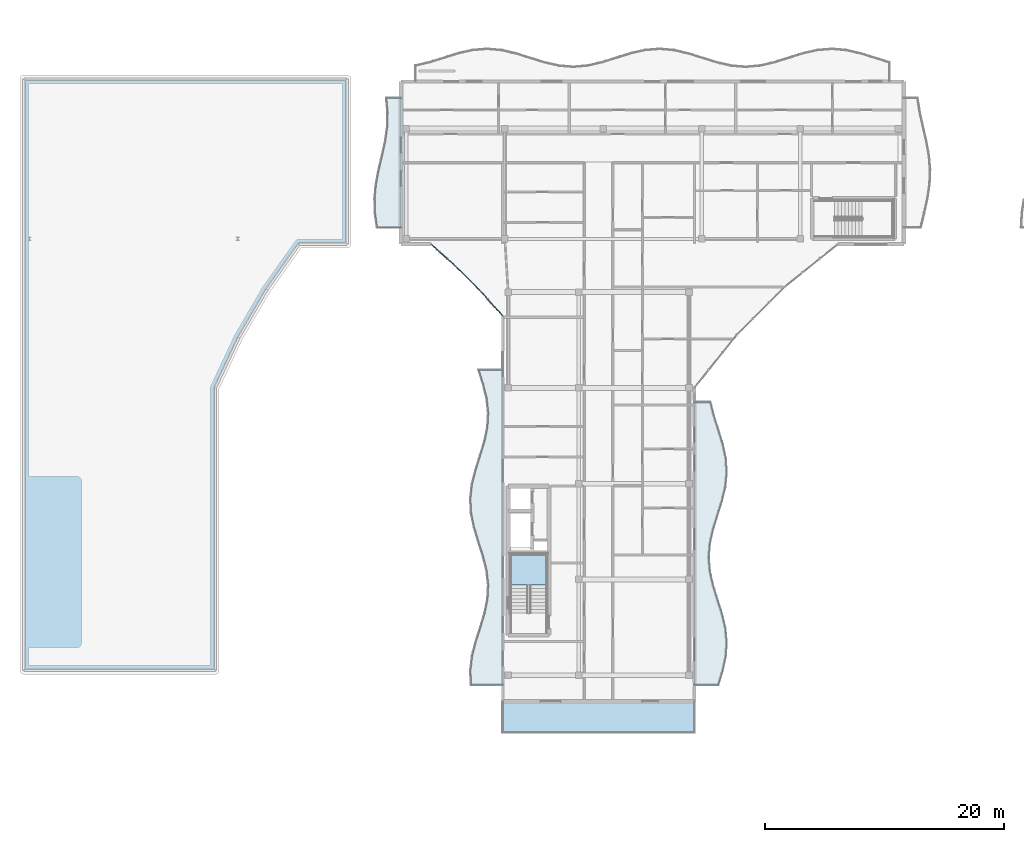
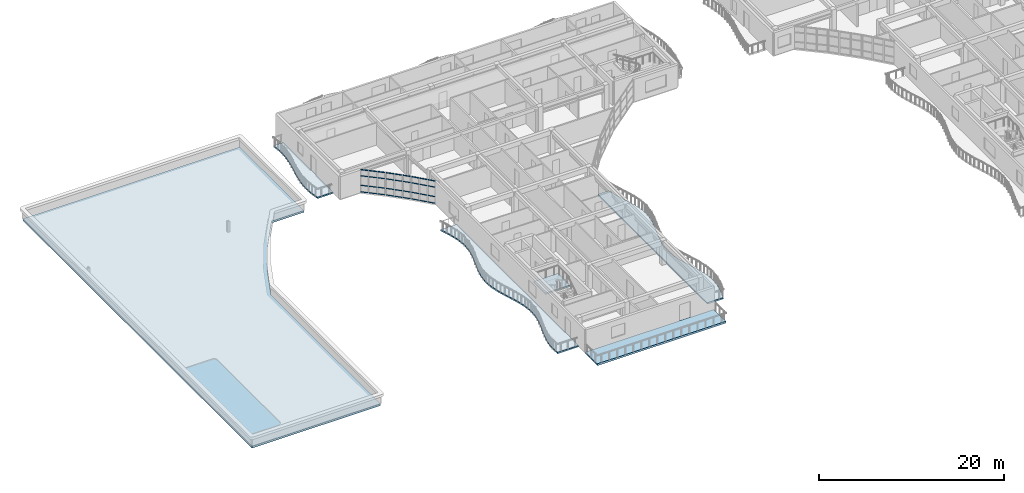
# One storey, part 19 of 54: 36 members, 6 slabs, 4 elements without a shape of their own.
"""IFC4 building model written with IfcOpenShell, lengths in metres."""

from ifc_helpers import new_model, si_unit, direction, frame, origin, origin_2d, place, context, subcontext, project, spatial, polyline, hollow_rectangle, outline, extrude, material, layer, layer_set, material_profile, profile_set, type_object, element, aggregate, save


model = new_model("IFC4")

# Units and contexts
model_context = context("Model", 3, precision=1e-05, world=origin(), true_north=direction((0.0, 1.0)))
body_context = subcontext(model_context, "Body", "Model", "MODEL_VIEW")
ifc_project = project(units=[si_unit("LENGTHUNIT", "METRE"), si_unit("AREAUNIT", "SQUARE_METRE"), si_unit("VOLUMEUNIT", "CUBIC_METRE"), si_unit("PLANEANGLEUNIT", "RADIAN"), si_unit("MASSUNIT", "GRAM", prefix="KILO")], contexts=[model_context])

# Site, building, storey
site_placement = place(None, origin())
site = spatial("IfcSite", under=ifc_project, at=site_placement, CompositionType="ELEMENT")
building_placement = place(site_placement, origin())
building = spatial("IfcBuilding", under=site, at=building_placement, Name="Keldmere Railside Commons", CompositionType="ELEMENT")
storey_placement = place(building_placement, frame((0.0, 0.0, 26.56005859375)))
storey = spatial("IfcBuildingStorey", under=building, at=storey_placement, Name="L08", CompositionType="ELEMENT", Elevation=26.56005859375)

# Curtain wall, members
ifc_material_1 = material(Name="Thermally Broken Aluminium", Category="aluminium")
ifc_layer_1 = layer(ifc_material_1, 0.159912109375, Name="Court Chord Wintergarden CW 4800x2850")
ifc_layer_set_1 = layer_set([ifc_layer_1], Name="Thermally Broken Aluminium")
curtain_wall_type_1 = type_object("IfcCurtainWallType", Name="Court Chord Wintergarden CW 4800x2850", PredefinedType="NOTDEFINED", material=ifc_layer_set_1)
curtain_wall_1_placement = place(storey_placement, origin())
curtain_wall_1 = element("IfcCurtainWall", 1, at=curtain_wall_1_placement, inside=storey, type_object=curtain_wall_type_1, Name="CW-12 CW-L08-076", PredefinedType="NOTDEFINED")
ifc_material_profile = material_profile(ifc_material_1, hollow_rectangle(XDim=0.06494140625, YDim=0.1201171875, WallThickness=0.00390625, at=origin_2d()), Name="ALU-TRAN-65x120")
ifc_profile_set = profile_set([ifc_material_profile], Name="Thermally Broken Aluminium")
member_type = type_object("IfcMemberType", Name="Unitised Curtain Wall Transom 65x120", PredefinedType="USERDEFINED", material=ifc_profile_set)
member_1_placement = place(storey_placement, frame((44.0595703125, 98.1533203125, 0.032470703125), z_axis=(-0.744569440646, 0.667545015752, 0.0), x_axis=(-0.667545015752, -0.744569440646, 0.0)))
member_1 = element("IfcMember", 2, at=member_1_placement, type_object=member_type, Name="CW-12 transom 1.1", ObjectType="TRANSOM", PredefinedType="USERDEFINED", context=body_context, shape_type="SweptSolid", body=[
    extrude(hollow_rectangle(XDim=0.06494140625, YDim=0.1201171875, WallThickness=0.00390625, at=origin_2d()), origin(), (0.0, 0.0, 1.0), 0.84619140625),
])
member_2_placement = place(storey_placement, frame((44.0595703125, 98.1533203125, 0.89990234375), z_axis=(-0.744569440646, 0.667545015752, 0.0), x_axis=(-0.667545015752, -0.744569440646, 0.0)))
member_2 = element("IfcMember", 3, at=member_2_placement, type_object=member_type, Name="CW-12 transom 1.2", ObjectType="TRANSOM", PredefinedType="USERDEFINED", context=body_context, shape_type="SweptSolid", body=[
    extrude(hollow_rectangle(XDim=0.06494140625, YDim=0.1201171875, WallThickness=0.00390625, at=origin_2d()), origin(), (0.0, 0.0, 1.0), 0.84619140625),
])
member_3_placement = place(storey_placement, frame((44.0595703125, 98.1533203125, 2.14990234375), z_axis=(-0.744569440646, 0.667545015752, 0.0), x_axis=(-0.667545015752, -0.744569440646, 0.0)))
member_3 = element("IfcMember", 4, at=member_3_placement, type_object=member_type, Name="CW-12 transom 1.3", ObjectType="TRANSOM", PredefinedType="USERDEFINED", context=body_context, shape_type="SweptSolid", body=[
    extrude(hollow_rectangle(XDim=0.06494140625, YDim=0.1201171875, WallThickness=0.00390625, at=origin_2d()), origin(), (0.0, 0.0, 1.0), 0.84619140625),
])
member_4_placement = place(storey_placement, frame((44.0595703125, 98.1533203125, 2.947509765625), z_axis=(-0.744569440646, 0.667545015752, 0.0), x_axis=(-0.667545015752, -0.744569440646, 0.0)))
member_4 = element("IfcMember", 5, at=member_4_placement, type_object=member_type, Name="CW-12 transom 1.4", ObjectType="TRANSOM", PredefinedType="USERDEFINED", context=body_context, shape_type="SweptSolid", body=[
    extrude(hollow_rectangle(XDim=0.06494140625, YDim=0.1201171875, WallThickness=0.00390625, at=origin_2d()), origin(), (0.0, 0.0, 1.0), 0.84619140625),
])
member_5_placement = place(storey_placement, frame((43.381103515625, 98.76171875, 0.032470703125), z_axis=(-0.744536109606, 0.667582190815, 0.0), x_axis=(-0.667582190815, -0.744536109606, 0.0)))
member_5 = element("IfcMember", 6, at=member_5_placement, type_object=member_type, Name="CW-12 transom 2.1", ObjectType="TRANSOM", PredefinedType="USERDEFINED", context=body_context, shape_type="SweptSolid", body=[
    extrude(hollow_rectangle(XDim=0.06494140625, YDim=0.1201171875, WallThickness=0.00390625, at=origin_2d()), origin(), (0.0, 0.0, 1.0), 0.87890625),
])
member_6_placement = place(storey_placement, frame((43.381103515625, 98.76171875, 0.89990234375), z_axis=(-0.744536109606, 0.667582190815, 0.0), x_axis=(-0.667582190815, -0.744536109606, 0.0)))
member_6 = element("IfcMember", 7, at=member_6_placement, type_object=member_type, Name="CW-12 transom 2.2", ObjectType="TRANSOM", PredefinedType="USERDEFINED", context=body_context, shape_type="SweptSolid", body=[
    extrude(hollow_rectangle(XDim=0.06494140625, YDim=0.1201171875, WallThickness=0.00390625, at=origin_2d()), origin(), (0.0, 0.0, 1.0), 0.87890625),
])
member_7_placement = place(storey_placement, frame((43.381103515625, 98.76171875, 2.14990234375), z_axis=(-0.744536109606, 0.667582190815, 0.0), x_axis=(-0.667582190815, -0.744536109606, 0.0)))
member_7 = element("IfcMember", 8, at=member_7_placement, type_object=member_type, Name="CW-12 transom 2.3", ObjectType="TRANSOM", PredefinedType="USERDEFINED", context=body_context, shape_type="SweptSolid", body=[
    extrude(hollow_rectangle(XDim=0.06494140625, YDim=0.1201171875, WallThickness=0.00390625, at=origin_2d()), origin(), (0.0, 0.0, 1.0), 0.87890625),
])
member_8_placement = place(storey_placement, frame((43.381103515625, 98.76171875, 2.947509765625), z_axis=(-0.744536109606, 0.667582190815, 0.0), x_axis=(-0.667582190815, -0.744536109606, 0.0)))
member_8 = element("IfcMember", 9, at=member_8_placement, type_object=member_type, Name="CW-12 transom 2.4", ObjectType="TRANSOM", PredefinedType="USERDEFINED", context=body_context, shape_type="SweptSolid", body=[
    extrude(hollow_rectangle(XDim=0.06494140625, YDim=0.1201171875, WallThickness=0.00390625, at=origin_2d()), origin(), (0.0, 0.0, 1.0), 0.87890625),
])
member_9_placement = place(storey_placement, frame((42.678466796875, 99.3916015625, 0.032470703125), z_axis=(-0.744569440646, 0.667545015752, 0.0), x_axis=(-0.667545015752, -0.744569440646, 0.0)))
member_9 = element("IfcMember", 10, at=member_9_placement, type_object=member_type, Name="CW-12 transom 3.1", ObjectType="TRANSOM", PredefinedType="USERDEFINED", context=body_context, shape_type="SweptSolid", body=[
    extrude(hollow_rectangle(XDim=0.06494140625, YDim=0.1201171875, WallThickness=0.00390625, at=origin_2d()), origin(), (0.0, 0.0, 1.0), 0.84619140625),
])
member_10_placement = place(storey_placement, frame((42.678466796875, 99.3916015625, 0.89990234375), z_axis=(-0.744569440646, 0.667545015752, 0.0), x_axis=(-0.667545015752, -0.744569440646, 0.0)))
member_10 = element("IfcMember", 11, at=member_10_placement, type_object=member_type, Name="CW-12 transom 3.2", ObjectType="TRANSOM", PredefinedType="USERDEFINED", context=body_context, shape_type="SweptSolid", body=[
    extrude(hollow_rectangle(XDim=0.06494140625, YDim=0.1201171875, WallThickness=0.00390625, at=origin_2d()), origin(), (0.0, 0.0, 1.0), 0.84619140625),
])
member_11_placement = place(storey_placement, frame((42.678466796875, 99.3916015625, 2.14990234375), z_axis=(-0.744569440646, 0.667545015752, 0.0), x_axis=(-0.667545015752, -0.744569440646, 0.0)))
member_11 = element("IfcMember", 12, at=member_11_placement, type_object=member_type, Name="CW-12 transom 3.3", ObjectType="TRANSOM", PredefinedType="USERDEFINED", context=body_context, shape_type="SweptSolid", body=[
    extrude(hollow_rectangle(XDim=0.06494140625, YDim=0.1201171875, WallThickness=0.00390625, at=origin_2d()), origin(), (0.0, 0.0, 1.0), 0.84619140625),
])
member_12_placement = place(storey_placement, frame((42.678466796875, 99.3916015625, 2.947509765625), z_axis=(-0.744569440646, 0.667545015752, 0.0), x_axis=(-0.667545015752, -0.744569440646, 0.0)))
member_12 = element("IfcMember", 13, at=member_12_placement, type_object=member_type, Name="CW-12 transom 3.4", ObjectType="TRANSOM", PredefinedType="USERDEFINED", context=body_context, shape_type="SweptSolid", body=[
    extrude(hollow_rectangle(XDim=0.06494140625, YDim=0.1201171875, WallThickness=0.00390625, at=origin_2d()), origin(), (0.0, 0.0, 1.0), 0.84619140625),
])
aggregate(curtain_wall_1, [member_1, member_2, member_3, member_4, member_5, member_6, member_7, member_8, member_9, member_10, member_11, member_12])

ifc_layer_2 = layer(ifc_material_1, 0.159912109375, Name="Court Chord Wintergarden CW 5400x2850")
ifc_layer_set_2 = layer_set([ifc_layer_2], Name="Thermally Broken Aluminium")
curtain_wall_type_2 = type_object("IfcCurtainWallType", Name="Court Chord Wintergarden CW 5400x2850", PredefinedType="NOTDEFINED", material=ifc_layer_set_2)
curtain_wall_2_placement = place(storey_placement, origin())
curtain_wall_2 = element("IfcCurtainWall", 14, at=curtain_wall_2_placement, inside=storey, type_object=curtain_wall_type_2, Name="CW-13 CW-L08-077", PredefinedType="NOTDEFINED")
member_13_placement = place(storey_placement, frame((46.06396484375, 96.154052734375, 0.032470703125), z_axis=(-0.707106781187, 0.707106781187, 0.0), x_axis=(-0.707106781187, -0.707106781187, 0.0)))
member_13 = element("IfcMember", 15, at=member_13_placement, type_object=member_type, Name="CW-13 transom 1.1", ObjectType="TRANSOM", PredefinedType="USERDEFINED", context=body_context, shape_type="SweptSolid", body=[
    extrude(hollow_rectangle(XDim=0.06494140625, YDim=0.1201171875, WallThickness=0.00390625, at=origin_2d()), origin(), (0.0, 0.0, 1.0), 0.84619140625),
])
member_14_placement = place(storey_placement, frame((46.06396484375, 96.154052734375, 0.89990234375), z_axis=(-0.707106781187, 0.707106781187, 0.0), x_axis=(-0.707106781187, -0.707106781187, 0.0)))
member_14 = element("IfcMember", 16, at=member_14_placement, type_object=member_type, Name="CW-13 transom 1.2", ObjectType="TRANSOM", PredefinedType="USERDEFINED", context=body_context, shape_type="SweptSolid", body=[
    extrude(hollow_rectangle(XDim=0.06494140625, YDim=0.1201171875, WallThickness=0.00390625, at=origin_2d()), origin(), (0.0, 0.0, 1.0), 0.84619140625),
])
member_15_placement = place(storey_placement, frame((46.06396484375, 96.154052734375, 2.14990234375), z_axis=(-0.707106781187, 0.707106781187, 0.0), x_axis=(-0.707106781187, -0.707106781187, 0.0)))
member_15 = element("IfcMember", 17, at=member_15_placement, type_object=member_type, Name="CW-13 transom 1.3", ObjectType="TRANSOM", PredefinedType="USERDEFINED", context=body_context, shape_type="SweptSolid", body=[
    extrude(hollow_rectangle(XDim=0.06494140625, YDim=0.1201171875, WallThickness=0.00390625, at=origin_2d()), origin(), (0.0, 0.0, 1.0), 0.84619140625),
])
member_16_placement = place(storey_placement, frame((46.06396484375, 96.154052734375, 2.947509765625), z_axis=(-0.707106781187, 0.707106781187, 0.0), x_axis=(-0.707106781187, -0.707106781187, 0.0)))
member_16 = element("IfcMember", 18, at=member_16_placement, type_object=member_type, Name="CW-13 transom 1.4", ObjectType="TRANSOM", PredefinedType="USERDEFINED", context=body_context, shape_type="SweptSolid", body=[
    extrude(hollow_rectangle(XDim=0.06494140625, YDim=0.1201171875, WallThickness=0.00390625, at=origin_2d()), origin(), (0.0, 0.0, 1.0), 0.84619140625),
])
member_17_placement = place(storey_placement, frame((45.419677734375, 96.79833984375, 0.032470703125), z_axis=(-0.707106781187, 0.707106781187, 0.0), x_axis=(-0.707106781187, -0.707106781187, 0.0)))
member_17 = element("IfcMember", 19, at=member_17_placement, type_object=member_type, Name="CW-13 transom 2.1", ObjectType="TRANSOM", PredefinedType="USERDEFINED", context=body_context, shape_type="SweptSolid", body=[
    extrude(hollow_rectangle(XDim=0.06494140625, YDim=0.1201171875, WallThickness=0.00390625, at=origin_2d()), origin(), (0.0, 0.0, 1.0), 0.878662109375),
])
member_18_placement = place(storey_placement, frame((45.419677734375, 96.79833984375, 0.89990234375), z_axis=(-0.707106781187, 0.707106781187, 0.0), x_axis=(-0.707106781187, -0.707106781187, 0.0)))
member_18 = element("IfcMember", 20, at=member_18_placement, type_object=member_type, Name="CW-13 transom 2.2", ObjectType="TRANSOM", PredefinedType="USERDEFINED", context=body_context, shape_type="SweptSolid", body=[
    extrude(hollow_rectangle(XDim=0.06494140625, YDim=0.1201171875, WallThickness=0.00390625, at=origin_2d()), origin(), (0.0, 0.0, 1.0), 0.878662109375),
])
member_19_placement = place(storey_placement, frame((45.419677734375, 96.79833984375, 2.14990234375), z_axis=(-0.707106781187, 0.707106781187, 0.0), x_axis=(-0.707106781187, -0.707106781187, 0.0)))
member_19 = element("IfcMember", 21, at=member_19_placement, type_object=member_type, Name="CW-13 transom 2.3", ObjectType="TRANSOM", PredefinedType="USERDEFINED", context=body_context, shape_type="SweptSolid", body=[
    extrude(hollow_rectangle(XDim=0.06494140625, YDim=0.1201171875, WallThickness=0.00390625, at=origin_2d()), origin(), (0.0, 0.0, 1.0), 0.878662109375),
])
member_20_placement = place(storey_placement, frame((45.419677734375, 96.79833984375, 2.947509765625), z_axis=(-0.707106781187, 0.707106781187, 0.0), x_axis=(-0.707106781187, -0.707106781187, 0.0)))
member_20 = element("IfcMember", 22, at=member_20_placement, type_object=member_type, Name="CW-13 transom 2.4", ObjectType="TRANSOM", PredefinedType="USERDEFINED", context=body_context, shape_type="SweptSolid", body=[
    extrude(hollow_rectangle(XDim=0.06494140625, YDim=0.1201171875, WallThickness=0.00390625, at=origin_2d()), origin(), (0.0, 0.0, 1.0), 0.878662109375),
])
member_21_placement = place(storey_placement, frame((44.75244140625, 97.465576171875, 0.032470703125), z_axis=(-0.707106781187, 0.707106781187, 0.0), x_axis=(-0.707106781187, -0.707106781187, 0.0)))
member_21 = element("IfcMember", 23, at=member_21_placement, type_object=member_type, Name="CW-13 transom 3.1", ObjectType="TRANSOM", PredefinedType="USERDEFINED", context=body_context, shape_type="SweptSolid", body=[
    extrude(hollow_rectangle(XDim=0.06494140625, YDim=0.1201171875, WallThickness=0.00390625, at=origin_2d()), origin(), (0.0, 0.0, 1.0), 0.84619140625),
])
member_22_placement = place(storey_placement, frame((44.75244140625, 97.465576171875, 0.89990234375), z_axis=(-0.707106781187, 0.707106781187, 0.0), x_axis=(-0.707106781187, -0.707106781187, 0.0)))
member_22 = element("IfcMember", 24, at=member_22_placement, type_object=member_type, Name="CW-13 transom 3.2", ObjectType="TRANSOM", PredefinedType="USERDEFINED", context=body_context, shape_type="SweptSolid", body=[
    extrude(hollow_rectangle(XDim=0.06494140625, YDim=0.1201171875, WallThickness=0.00390625, at=origin_2d()), origin(), (0.0, 0.0, 1.0), 0.84619140625),
])
member_23_placement = place(storey_placement, frame((44.75244140625, 97.465576171875, 2.14990234375), z_axis=(-0.707106781187, 0.707106781187, 0.0), x_axis=(-0.707106781187, -0.707106781187, 0.0)))
member_23 = element("IfcMember", 25, at=member_23_placement, type_object=member_type, Name="CW-13 transom 3.3", ObjectType="TRANSOM", PredefinedType="USERDEFINED", context=body_context, shape_type="SweptSolid", body=[
    extrude(hollow_rectangle(XDim=0.06494140625, YDim=0.1201171875, WallThickness=0.00390625, at=origin_2d()), origin(), (0.0, 0.0, 1.0), 0.84619140625),
])
member_24_placement = place(storey_placement, frame((44.75244140625, 97.465576171875, 2.947509765625), z_axis=(-0.707106781187, 0.707106781187, 0.0), x_axis=(-0.707106781187, -0.707106781187, 0.0)))
member_24 = element("IfcMember", 26, at=member_24_placement, type_object=member_type, Name="CW-13 transom 3.4", ObjectType="TRANSOM", PredefinedType="USERDEFINED", context=body_context, shape_type="SweptSolid", body=[
    extrude(hollow_rectangle(XDim=0.06494140625, YDim=0.1201171875, WallThickness=0.00390625, at=origin_2d()), origin(), (0.0, 0.0, 1.0), 0.84619140625),
])
aggregate(curtain_wall_2, [member_13, member_14, member_15, member_16, member_17, member_18, member_19, member_20, member_21, member_22, member_23, member_24])

curtain_wall_3_placement = place(storey_placement, origin())
curtain_wall_3 = element("IfcCurtainWall", 27, at=curtain_wall_3_placement, inside=storey, type_object=curtain_wall_type_1, Name="CW-12 CW-L08-078", PredefinedType="NOTDEFINED")
member_25_placement = place(storey_placement, frame((47.95654296875, 94.04833984375, 0.032470703125), z_axis=(-0.667545015752, 0.744569440646, 0.0), x_axis=(-0.744569440646, -0.667545015752, 0.0)))
member_25 = element("IfcMember", 28, at=member_25_placement, type_object=member_type, Name="CW-12 transom 1.1", ObjectType="TRANSOM", PredefinedType="USERDEFINED", context=body_context, shape_type="SweptSolid", body=[
    extrude(hollow_rectangle(XDim=0.06494140625, YDim=0.1201171875, WallThickness=0.00390625, at=origin_2d()), origin(), (0.0, 0.0, 1.0), 0.84619140625),
])
member_26_placement = place(storey_placement, frame((47.95654296875, 94.04833984375, 0.89990234375), z_axis=(-0.667545015752, 0.744569440646, 0.0), x_axis=(-0.744569440646, -0.667545015752, 0.0)))
member_26 = element("IfcMember", 29, at=member_26_placement, type_object=member_type, Name="CW-12 transom 1.2", ObjectType="TRANSOM", PredefinedType="USERDEFINED", context=body_context, shape_type="SweptSolid", body=[
    extrude(hollow_rectangle(XDim=0.06494140625, YDim=0.1201171875, WallThickness=0.00390625, at=origin_2d()), origin(), (0.0, 0.0, 1.0), 0.84619140625),
])
member_27_placement = place(storey_placement, frame((47.95654296875, 94.04833984375, 2.14990234375), z_axis=(-0.667545015752, 0.744569440646, 0.0), x_axis=(-0.744569440646, -0.667545015752, 0.0)))
member_27 = element("IfcMember", 30, at=member_27_placement, type_object=member_type, Name="CW-12 transom 1.3", ObjectType="TRANSOM", PredefinedType="USERDEFINED", context=body_context, shape_type="SweptSolid", body=[
    extrude(hollow_rectangle(XDim=0.06494140625, YDim=0.1201171875, WallThickness=0.00390625, at=origin_2d()), origin(), (0.0, 0.0, 1.0), 0.84619140625),
])
member_28_placement = place(storey_placement, frame((47.95654296875, 94.04833984375, 2.947509765625), z_axis=(-0.667545015752, 0.744569440646, 0.0), x_axis=(-0.744569440646, -0.667545015752, 0.0)))
member_28 = element("IfcMember", 31, at=member_28_placement, type_object=member_type, Name="CW-12 transom 1.4", ObjectType="TRANSOM", PredefinedType="USERDEFINED", context=body_context, shape_type="SweptSolid", body=[
    extrude(hollow_rectangle(XDim=0.06494140625, YDim=0.1201171875, WallThickness=0.00390625, at=origin_2d()), origin(), (0.0, 0.0, 1.0), 0.84619140625),
])
member_29_placement = place(storey_placement, frame((47.348388671875, 94.726806640625, 0.032470703125), z_axis=(-0.667582190815, 0.744536109606, 0.0), x_axis=(-0.744536109606, -0.667582190815, 0.0)))
member_29 = element("IfcMember", 32, at=member_29_placement, type_object=member_type, Name="CW-12 transom 2.1", ObjectType="TRANSOM", PredefinedType="USERDEFINED", context=body_context, shape_type="SweptSolid", body=[
    extrude(hollow_rectangle(XDim=0.06494140625, YDim=0.1201171875, WallThickness=0.00390625, at=origin_2d()), origin(), (0.0, 0.0, 1.0), 0.87890625),
])
member_30_placement = place(storey_placement, frame((47.348388671875, 94.726806640625, 0.89990234375), z_axis=(-0.667582190815, 0.744536109606, 0.0), x_axis=(-0.744536109606, -0.667582190815, 0.0)))
member_30 = element("IfcMember", 33, at=member_30_placement, type_object=member_type, Name="CW-12 transom 2.2", ObjectType="TRANSOM", PredefinedType="USERDEFINED", context=body_context, shape_type="SweptSolid", body=[
    extrude(hollow_rectangle(XDim=0.06494140625, YDim=0.1201171875, WallThickness=0.00390625, at=origin_2d()), origin(), (0.0, 0.0, 1.0), 0.87890625),
])
member_31_placement = place(storey_placement, frame((47.348388671875, 94.726806640625, 2.14990234375), z_axis=(-0.667582190815, 0.744536109606, 0.0), x_axis=(-0.744536109606, -0.667582190815, 0.0)))
member_31 = element("IfcMember", 34, at=member_31_placement, type_object=member_type, Name="CW-12 transom 2.3", ObjectType="TRANSOM", PredefinedType="USERDEFINED", context=body_context, shape_type="SweptSolid", body=[
    extrude(hollow_rectangle(XDim=0.06494140625, YDim=0.1201171875, WallThickness=0.00390625, at=origin_2d()), origin(), (0.0, 0.0, 1.0), 0.87890625),
])
member_32_placement = place(storey_placement, frame((47.348388671875, 94.726806640625, 2.947509765625), z_axis=(-0.667582190815, 0.744536109606, 0.0), x_axis=(-0.744536109606, -0.667582190815, 0.0)))
member_32 = element("IfcMember", 35, at=member_32_placement, type_object=member_type, Name="CW-12 transom 2.4", ObjectType="TRANSOM", PredefinedType="USERDEFINED", context=body_context, shape_type="SweptSolid", body=[
    extrude(hollow_rectangle(XDim=0.06494140625, YDim=0.1201171875, WallThickness=0.00390625, at=origin_2d()), origin(), (0.0, 0.0, 1.0), 0.87890625),
])
member_33_placement = place(storey_placement, frame((46.71826171875, 95.429443359375, 0.032470703125), z_axis=(-0.667545015752, 0.744569440646, 0.0), x_axis=(-0.744569440646, -0.667545015752, 0.0)))
member_33 = element("IfcMember", 36, at=member_33_placement, type_object=member_type, Name="CW-12 transom 3.1", ObjectType="TRANSOM", PredefinedType="USERDEFINED", context=body_context, shape_type="SweptSolid", body=[
    extrude(hollow_rectangle(XDim=0.06494140625, YDim=0.1201171875, WallThickness=0.00390625, at=origin_2d()), origin(), (0.0, 0.0, 1.0), 0.84619140625),
])
member_34_placement = place(storey_placement, frame((46.71826171875, 95.429443359375, 0.89990234375), z_axis=(-0.667545015752, 0.744569440646, 0.0), x_axis=(-0.744569440646, -0.667545015752, 0.0)))
member_34 = element("IfcMember", 37, at=member_34_placement, type_object=member_type, Name="CW-12 transom 3.2", ObjectType="TRANSOM", PredefinedType="USERDEFINED", context=body_context, shape_type="SweptSolid", body=[
    extrude(hollow_rectangle(XDim=0.06494140625, YDim=0.1201171875, WallThickness=0.00390625, at=origin_2d()), origin(), (0.0, 0.0, 1.0), 0.84619140625),
])
member_35_placement = place(storey_placement, frame((46.71826171875, 95.429443359375, 2.14990234375), z_axis=(-0.667545015752, 0.744569440646, 0.0), x_axis=(-0.744569440646, -0.667545015752, 0.0)))
member_35 = element("IfcMember", 38, at=member_35_placement, type_object=member_type, Name="CW-12 transom 3.3", ObjectType="TRANSOM", PredefinedType="USERDEFINED", context=body_context, shape_type="SweptSolid", body=[
    extrude(hollow_rectangle(XDim=0.06494140625, YDim=0.1201171875, WallThickness=0.00390625, at=origin_2d()), origin(), (0.0, 0.0, 1.0), 0.84619140625),
])
member_36_placement = place(storey_placement, frame((46.71826171875, 95.429443359375, 2.947509765625), z_axis=(-0.667545015752, 0.744569440646, 0.0), x_axis=(-0.744569440646, -0.667545015752, 0.0)))
member_36 = element("IfcMember", 39, at=member_36_placement, type_object=member_type, Name="CW-12 transom 3.4", ObjectType="TRANSOM", PredefinedType="USERDEFINED", context=body_context, shape_type="SweptSolid", body=[
    extrude(hollow_rectangle(XDim=0.06494140625, YDim=0.1201171875, WallThickness=0.00390625, at=origin_2d()), origin(), (0.0, 0.0, 1.0), 0.84619140625),
])
aggregate(curtain_wall_3, [member_25, member_26, member_27, member_28, member_29, member_30, member_31, member_32, member_33, member_34, member_35, member_36])

# Stair, slab
ifc_material_2 = material(Name="Concrete H-30 (C30/37)", Category="concrete")
stair_type = type_object("IfcStairType", Name="Residential Core Dogleg Stair 1450", PredefinedType="HALF_TURN_STAIR", material=ifc_material_2)
stair_placement = place(storey_placement, origin())
stair = element("IfcStair", 40, at=stair_placement, inside=storey, type_object=stair_type, Name="L08 Block C Primary Escape Stair 1", PredefinedType="HALF_TURN_STAIR")
ifc_layer_3 = layer(ifc_material_2, 0.199951171875, Name="Enclosed Stair Landing Slab 200")
ifc_layer_set_3 = layer_set([ifc_layer_3], Name="Concrete H-30 (C30/37)")
slab_type_1 = type_object("IfcSlabType", Name="Enclosed Stair Landing Slab 200", PredefinedType="LANDING", material=ifc_layer_set_3)
slab_1_placement = place(storey_placement, frame((0.0, 0.0, 1.39990234375)))
slab_1 = element("IfcSlab", 41, at=slab_1_placement, type_object=slab_type_1, Name="ST-C1 landing 1", PredefinedType="LANDING", context=body_context, shape_type="SweptSolid", body=[
    extrude(outline(polyline([(51.699951171875, 71.52001953125), (51.699951171875, 74.10009765625), (48.64990234375, 74.10009765625), (48.64990234375, 71.52001953125), (51.699951171875, 71.52001953125)])), origin(), (0.0, 0.0, 1.0), 0.199951171875),
])
aggregate(stair, [slab_1])

# Slabs
ifc_material_3 = material(Name="Concrete H-35 (C35/45)", Category="concrete")
ifc_layer_4 = layer(ifc_material_3, 0.25, Name="Planted Terrace Roof Slab 250")
ifc_layer_set_4 = layer_set([ifc_layer_4], Name="Concrete H-35 (C35/45)")
slab_type_2 = type_object("IfcSlabType", Name="Planted Terrace Roof Slab 250", PredefinedType="ROOF", material=ifc_layer_set_4)
slab_2_placement = place(storey_placement, frame((0.0, 0.0, -0.25)))
element("IfcSlab", 42, at=slab_2_placement, inside=storey, type_object=slab_type_2, Name="RT-1 ROOFD-L08-019", PredefinedType="ROOF", context=body_context, shape_type="SweptSolid", body=[
    extrude(outline(polyline([(8.0, 64.39990234375), (24.0, 64.39990234375), (24.0, 88.0), (25.971923828125, 92.202880859375), (28.31201171875, 96.214111328125), (31.0, 100.0), (35.0, 100.0), (35.0, 113.800048828125), (8.0, 113.800048828125), (8.0, 64.39990234375)])), origin(), (0.0, 0.0, 1.0), 0.25),
])
slab_3_placement = place(storey_placement, frame((0.0, 0.0, -0.25)))
element("IfcSlab", 43, at=slab_3_placement, inside=storey, type_object=slab_type_2, Name="RT-1 TERRC-L08-031", PredefinedType="ROOF", context=body_context, shape_type="SweptSolid", body=[
    extrude(outline(polyline([(64.0, 59.199951171875), (64.0, 61.7900390625), (48.0, 61.7900390625), (48.0, 59.199951171875), (64.0, 59.199951171875)])), origin(), (0.0, 0.0, 1.0), 0.25),
])
ifc_material_4 = material(Name="White Precast Concrete H-35 (C35/45)", Category="concrete")
ifc_layer_5 = layer(ifc_material_4, 0.179931640625, Name="Sinusoidal Wave Balcony Slab 180")
ifc_layer_set_5 = layer_set([ifc_layer_5], Name="White Precast Concrete H-35 (C35/45)")
slab_type_3 = type_object("IfcSlabType", Name="Sinusoidal Wave Balcony Slab 180", PredefinedType="FLOOR", material=ifc_layer_set_5)
slab_4_placement = place(storey_placement, frame((0.0, 0.0, -0.18017578125)))
element("IfcSlab", 44, at=slab_4_placement, inside=storey, type_object=slab_type_3, Name="WB-1 C L08 CE Wave Balcony", PredefinedType="FLOOR", context=body_context, shape_type="SweptSolid", body=[
    extrude(outline(polyline([(66.0, 63.199951171875), (66.362060546875, 64.3798828125), (66.6171875, 65.56005859375), (66.699462890625, 66.739990234375), (66.587158203125, 67.919921875), (66.309814453125, 69.10009765625), (65.939208984375, 70.280029296875), (65.5712890625, 71.4599609375), (65.301513671875, 72.639892578125), (65.2001953125, 73.820068359375), (65.29296875, 75.0), (65.55615234375, 76.179931640625), (65.921630859375, 77.360107421875), (66.294189453125, 78.5400390625), (66.577880859375, 79.719970703125), (66.698486328125, 80.89990234375), (66.625, 82.080078125), (66.376708984375, 83.260009765625), (66.017578125, 84.43994140625), (65.64111328125, 85.6201171875), (65.344482421875, 86.800048828125), (64.0, 86.800048828125), (64.0, 85.6201171875), (64.0, 84.43994140625), (64.0, 83.260009765625), (64.0, 82.080078125), (64.0, 80.89990234375), (64.0, 79.719970703125), (64.0, 78.5400390625), (64.0, 77.360107421875), (64.0, 76.179931640625), (64.0, 75.0), (64.0, 73.820068359375), (64.0, 72.639892578125), (64.0, 71.4599609375), (64.0, 70.280029296875), (64.0, 69.10009765625), (64.0, 67.919921875), (64.0, 66.739990234375), (64.0, 65.56005859375), (64.0, 64.3798828125), (64.0, 63.199951171875), (66.0, 63.199951171875)])), origin(), (0.0, 0.0, 1.0), 0.18017578125),
])
slab_5_placement = place(storey_placement, frame((0.0, 0.0, -0.18017578125)))
element("IfcSlab", 45, at=slab_5_placement, inside=storey, type_object=slab_type_3, Name="WB-1 C L08 CW Wave Balcony", PredefinedType="FLOOR", context=body_context, shape_type="SweptSolid", body=[
    extrude(outline(polyline([(48.0, 63.199951171875), (48.0, 64.3955078125), (48.0, 65.5908203125), (48.0, 66.786376953125), (48.0, 67.981689453125), (48.0, 69.17724609375), (48.0, 70.372802734375), (48.0, 71.568115234375), (48.0, 72.763671875), (48.0, 73.958984375), (48.0, 75.154541015625), (48.0, 76.35009765625), (48.0, 77.54541015625), (48.0, 78.740966796875), (48.0, 79.936279296875), (48.0, 81.1318359375), (48.0, 82.327392578125), (48.0, 83.522705078125), (48.0, 84.71826171875), (48.0, 85.91357421875), (48.0, 87.109130859375), (48.0, 88.304443359375), (48.0, 89.5), (45.9931640625, 89.5), (46.373291015625, 88.304443359375), (46.66748046875, 87.109130859375), (46.797607421875, 85.91357421875), (46.728759765625, 84.71826171875), (46.479248046875, 83.522705078125), (46.11572265625, 82.327392578125), (45.73486328125, 81.1318359375), (45.4375, 79.936279296875), (45.30322265625, 78.740966796875), (45.36767578125, 77.54541015625), (45.61328125, 76.35009765625), (45.975341796875, 75.154541015625), (46.357177734375, 73.958984375), (46.6572265625, 72.763671875), (46.7958984375, 71.568115234375), (46.736083984375, 70.372802734375), (46.493896484375, 69.17724609375), (46.133544921875, 67.981689453125), (45.751220703125, 66.786376953125), (45.447998046875, 65.5908203125), (45.30517578125, 64.3955078125), (45.3603515625, 63.199951171875), (48.0, 63.199951171875)])), origin(), (0.0, 0.0, 1.0), 0.18017578125),
])
slab_6_placement = place(storey_placement, frame((0.0, 0.0, -0.18017578125)))
element("IfcSlab", 46, at=slab_6_placement, inside=storey, type_object=slab_type_3, Name="WB-1 C L08 WW Wave Balcony", PredefinedType="FLOOR", context=body_context, shape_type="SweptSolid", body=[
    extrude(outline(polyline([(39.5, 101.39990234375), (39.5, 102.60009765625), (39.5, 103.800048828125), (39.5, 105.0), (39.5, 106.199951171875), (39.5, 107.39990234375), (39.5, 108.60009765625), (39.5, 109.800048828125), (39.5, 111.0), (39.5, 112.199951171875), (38.2822265625, 112.199951171875), (38.394287109375, 111.0), (38.360595703125, 109.800048828125), (38.190185546875, 108.60009765625), (37.928466796875, 107.39990234375), (37.645751953125, 106.199951171875), (37.417724609375, 105.0), (37.3056640625, 103.800048828125), (37.33935546875, 102.60009765625), (37.509765625, 101.39990234375), (39.5, 101.39990234375)])), origin(), (0.0, 0.0, 1.0), 0.18017578125),
])

save(model, "model.ifc")
